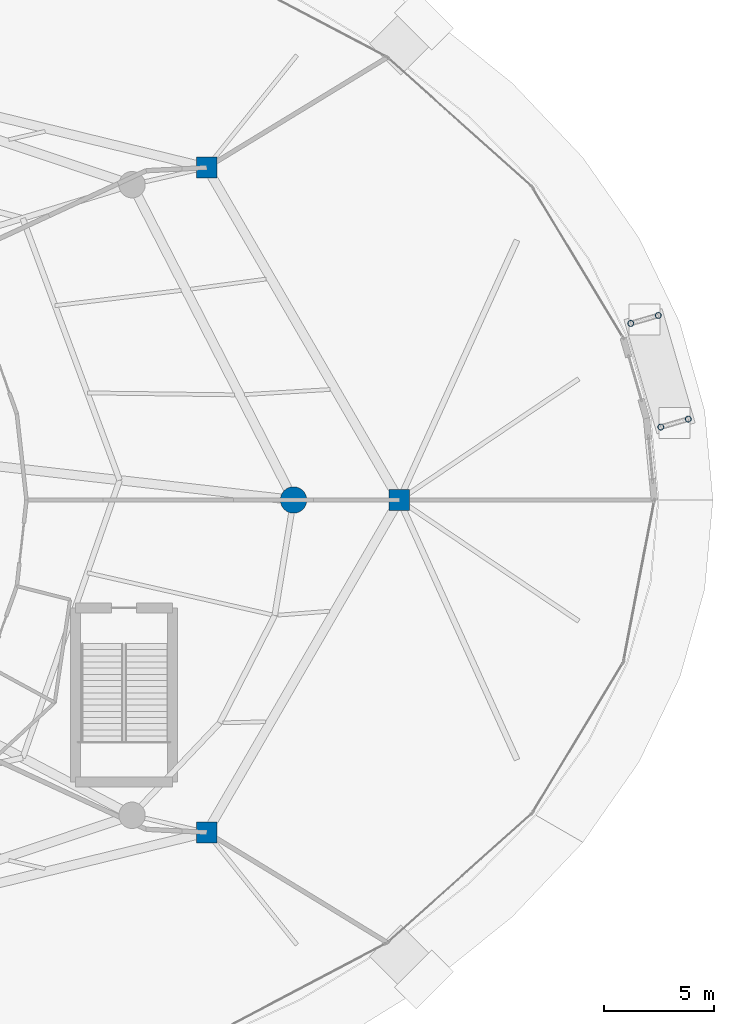
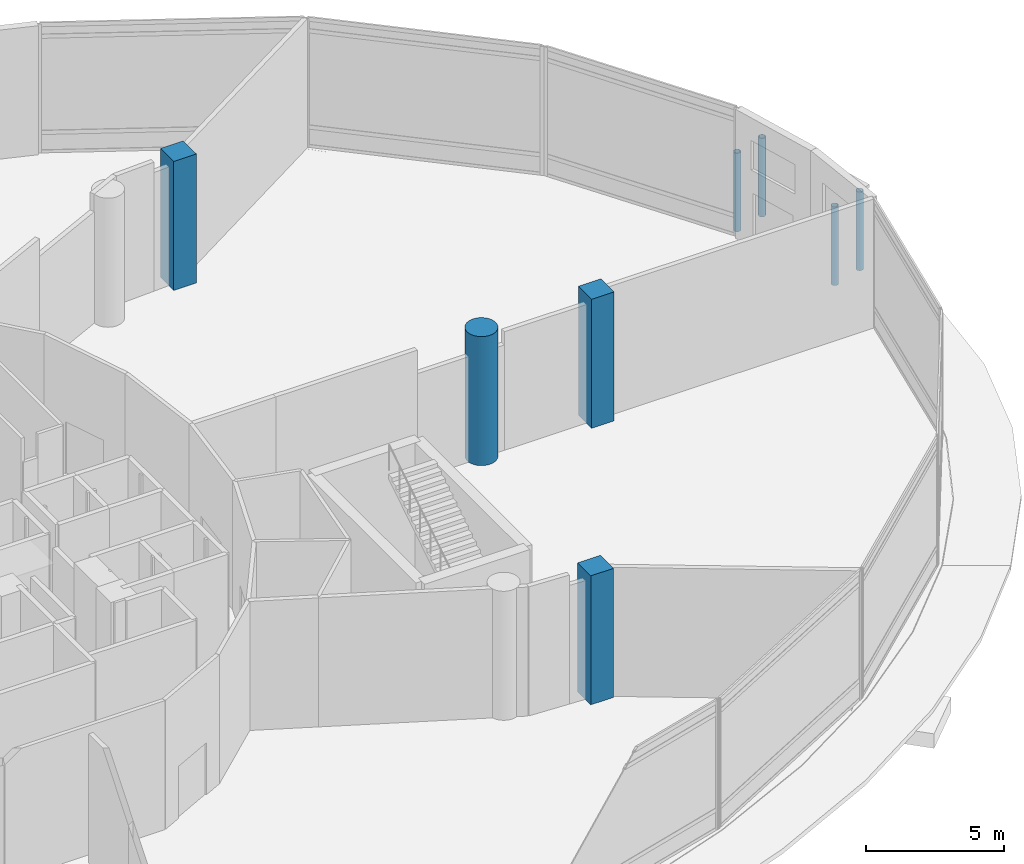
# One storey, part 7 of 40: 8 columns.
"""IFC4 building model written with IfcOpenShell, lengths in metres."""

from ifc_helpers import new_model, si_unit, direction, frame, origin, origin_2d, place, context, subcontext, project, spatial, rectangle, circle, hollow_circle, extrude, material, material_profile, profile_set, type_object, element, save


model = new_model("IFC4")

# Units and contexts
model_context = context("Model", 3, precision=1e-05, world=origin(), true_north=direction((0.0, 1.0)))
body_context = subcontext(model_context, "Body", "Model", "MODEL_VIEW")
ifc_project = project(units=[si_unit("LENGTHUNIT", "METRE"), si_unit("AREAUNIT", "SQUARE_METRE"), si_unit("VOLUMEUNIT", "CUBIC_METRE"), si_unit("PLANEANGLEUNIT", "RADIAN"), si_unit("MASSUNIT", "GRAM", prefix="KILO")], contexts=[model_context])

# Site, building, storey
site_placement = place(None, origin())
site = spatial("IfcSite", under=ifc_project, at=site_placement, CompositionType="ELEMENT")
building_placement = place(site_placement, origin())
building = spatial("IfcBuilding", under=site, at=building_placement, Name="Nuhasar Tower", CompositionType="ELEMENT")
storey_placement = place(building_placement, origin())
storey = spatial("IfcBuildingStorey", under=building, at=storey_placement, Name="L00", CompositionType="ELEMENT", Elevation=0.0)

# Columns
ifc_material_1 = material(Name="Concrete C80/95", Category="concrete")
ifc_material_profile_1 = material_profile(ifc_material_1, circle(Radius=0.60009765625, at=origin_2d()), Name="CFT1200")
ifc_profile_set_1 = profile_set([ifc_material_profile_1], Name="Concrete C80/95")
column_type_1 = type_object("IfcColumnType", Name="COL-CFT-1200", PredefinedType="COLUMN", material=ifc_profile_set_1)
column_placement = place(storey_placement, frame((64.050048828125, 26.800048828125, 0.0), z_axis=(0.0, 0.0, 1.0), x_axis=(1.0, 0.0, 0.0)))
element("IfcColumn", 1, at=column_placement, inside=storey, type_object=column_type_1, Name="L00 Perimeter Composite Column TC-01", PredefinedType="COLUMN", context=body_context, shape_type="SweptSolid", body=[
    extrude(circle(Radius=0.60009765625, at=origin_2d()), origin(), (0.0, 0.0, 1.0), 5.699951171875),
])
ifc_material_2 = material(Name="Steel S460", Category="steel")
ifc_material_profile_2 = material_profile(ifc_material_2, hollow_circle(Radius=0.136474609375, WallThickness=0.0126953125, at=origin_2d()), Name="HSS273.1X12.7")
ifc_profile_set_2 = profile_set([ifc_material_profile_2], Name="Steel S460")
column_type_2 = type_object("IfcColumnType", Name="COL-CNP-273", PredefinedType="COLUMN", material=ifc_profile_set_2)
for number, where, z_axis, x_axis, name in (
    (2, (80.72900390625, 30.112060546875, -0.219970703125), (0.0, 0.0, 1.0), (1.0, 0.0, 0.0), "L00 Canopy Inner Post East 1"),
    (3, (81.97802734375, 30.47412109375, -0.219970703125), (0.0, 0.0, 1.0), (1.0, 0.0, 0.0), "L00 Canopy Outer Post East 1"),
    (4, (79.364990234375, 34.818115234375, -0.219970703125), (0.0, 0.0, 1.0), (1.0, 0.0, 0.0), "L00 Canopy Inner Post East 2"),
    (5, (80.614013671875, 35.179931640625, -0.219970703125), (0.0, 0.0, 1.0), (1.0, 0.0, 0.0), "L00 Canopy Outer Post East 2"),
):
    element("IfcColumn", number, at=place(storey_placement, frame(where, z_axis=z_axis, x_axis=x_axis)), inside=storey, type_object=column_type_2, Name=name, PredefinedType="COLUMN", context=body_context, shape_type="SweptSolid", body=[
        extrude(hollow_circle(Radius=0.136474609375, WallThickness=0.0126953125, at=origin_2d()), origin(), (0.0, 0.0, 1.0), 3.469970703125),
    ])
ifc_material_3 = material(Name="Concrete C60/75", Category="concrete")
ifc_material_profile_3 = material_profile(ifc_material_3, rectangle(XDim=0.949951171875, YDim=0.949951171875, at=origin_2d()), Name="RC950X950")
ifc_profile_set_3 = profile_set([ifc_material_profile_3], Name="Concrete C60/75")
column_type_3 = type_object("IfcColumnType", Name="COL-POD-950", PredefinedType="COLUMN", material=ifc_profile_set_3)
for number, where, z_axis, x_axis, name in (
    (6, (68.85009765625, 26.800048828125, 0.0), (0.0, 0.0, 1.0), (1.0, 0.0, 0.0), "L00 Podium Perimeter Column PC-01"),
    (7, (60.10693359375, 41.89697265625, 0.0), (0.0, 0.0, 1.0), (1.0, 0.0, 0.0), "L00 Podium Perimeter Column PC-02"),
    (8, (60.10693359375, 11.702880859375, 0.0), (0.0, 0.0, 1.0), (1.0, 0.0, 0.0), "L00 Podium Perimeter Column PC-06"),
):
    element("IfcColumn", number, at=place(storey_placement, frame(where, z_axis=z_axis, x_axis=x_axis)), inside=storey, type_object=column_type_3, Name=name, PredefinedType="COLUMN", context=body_context, shape_type="SweptSolid", body=[
        extrude(rectangle(XDim=0.949951171875, YDim=0.949951171875, at=origin_2d()), origin(), (0.0, 0.0, 1.0), 5.699951171875),
    ])

save(model, "model.ifc")
